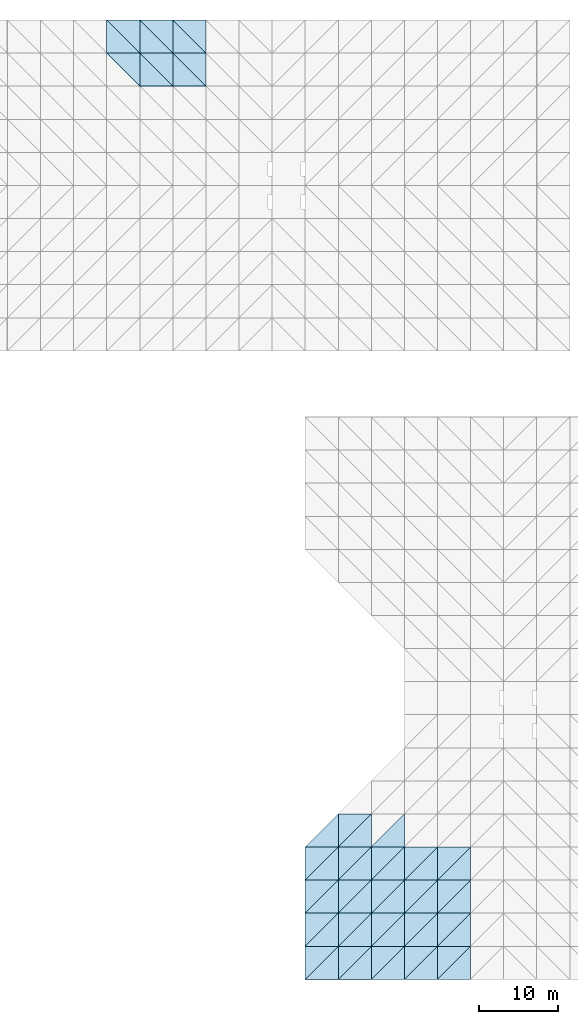
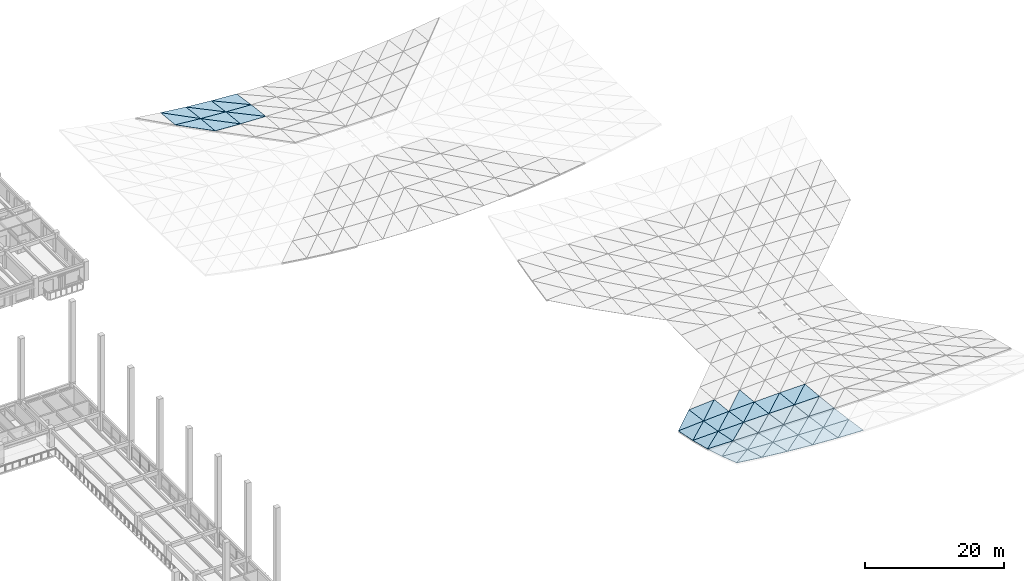
# One storey, part 44 of 64: 55 roofs.
"""IFC4 building model written with IfcOpenShell, lengths in metres."""

from ifc_helpers import new_model, si_unit, direction, frame, origin, place, context, subcontext, project, spatial, polyline, outline, extrude, material, layer, layer_set, type_object, element, save


model = new_model("IFC4")

# Units and contexts
model_context = context("Model", 3, precision=1e-05, world=origin(), true_north=direction((0.0, 1.0)))
body_context = subcontext(model_context, "Body", "Model", "MODEL_VIEW")
ifc_project = project(units=[si_unit("LENGTHUNIT", "METRE"), si_unit("AREAUNIT", "SQUARE_METRE"), si_unit("VOLUMEUNIT", "CUBIC_METRE"), si_unit("PLANEANGLEUNIT", "RADIAN"), si_unit("MASSUNIT", "GRAM", prefix="KILO")], contexts=[model_context])

# Site, building, storey
site_placement = place(None, origin())
site = spatial("IfcSite", under=ifc_project, at=site_placement, CompositionType="ELEMENT")
building_placement = place(site_placement, origin())
building = spatial("IfcBuilding", under=site, at=building_placement, Name="Cumbredor Promenade Congress Hotel", CompositionType="ELEMENT")
storey_placement = place(building_placement, frame((0.0, 0.0, 18.47998046875)))
storey = spatial("IfcBuildingStorey", under=building, at=storey_placement, Name="L05", CompositionType="ELEMENT", Elevation=18.47998046875)

# Roofs
ifc_material = material(Name="Standing-seam zinc-aluminium roofing", Category="aluminium")
ifc_layer = layer(ifc_material, 0.050048828125, Name="Standing-seam zinc-aluminium roofing", Category="aluminium")
ifc_layer_set = layer_set([ifc_layer], Name="Standing-seam zinc-aluminium roofing")
roof_type = type_object("IfcRoofType", Name="Sweeping Pavilion Standing-Seam Roof Skin 50mm", PredefinedType="FREEFORM", material=ifc_layer_set)
roof_1_placement = place(storey_placement, frame((138.60009765625, 0.0, 4.77001953125), z_axis=(0.118242562971, 0.267282671727, 0.956336065249), x_axis=(0.992442958388, 0.0, -0.122706863483)))
element("IfcRoof", 1, at=roof_1_placement, inside=storey, type_object=roof_type, Name="Grand Ballroom Pavilion Standing-Seam Roof Skin 1.1.1", PredefinedType="FREEFORM", context=body_context, shape_type="SweptSolid", body=[
    extrude(outline(polyline([(0.0, 0.0), (4.231932058539838, 0.0), (4.375968826026281, 4.3585221948255874), (0.0, 0.0)])), origin(), (0.0, 0.0, -1.0), 0.050048828125),
])
roof_2_placement = place(storey_placement, frame((138.60009765625, 0.0, 4.77001953125), z_axis=(0.06211809951, 0.31911112182, 0.945679350332), x_axis=(0.680018566113, 0.680018566113, -0.274134090333)))
element("IfcRoof", 2, at=roof_2_placement, inside=storey, type_object=roof_type, Name="Grand Ballroom Pavilion Standing-Seam Roof Skin 1.1.2", PredefinedType="FREEFORM", context=body_context, shape_type="SweptSolid", body=[
    extrude(outline(polyline([(0.0, 0.0), (6.176230151892098, 5.551115123125783e-17), (3.2445575652412004, 3.0200984854351223), (0.0, 0.0)])), origin(), (0.0, 0.0, -1.0), 0.050048828125),
])
roof_3_placement = place(storey_placement, frame((138.60009765625, 4.199951171875, 3.352783203125), z_axis=(0.063676478937, 0.237068094593, 0.969403953239), x_axis=(0.997849616578, 0.0, -0.065544966967)))
element("IfcRoof", 3, at=roof_3_placement, inside=storey, type_object=roof_type, Name="Grand Ballroom Pavilion Standing-Seam Roof Skin 1.2.1", PredefinedType="FREEFORM", context=body_context, shape_type="SweptSolid", body=[
    extrude(outline(polyline([(0.0, 0.0), (4.20900214029975, -1.3877787807814457e-17), (4.276323350268059, 4.323192259014265), (0.0, 0.0)])), origin(), (0.0, 0.0, -1.0), 0.050048828125),
])
roof_4_placement = place(storey_placement, frame((138.60009765625, 4.199951171875, 3.352783203125), z_axis=(0.014326151444, 0.283178402091, 0.958960246295), x_axis=(0.690683052822, 0.690683052822, -0.214275152759)))
element("IfcRoof", 4, at=roof_4_placement, inside=storey, type_object=roof_type, Name="Grand Ballroom Pavilion Standing-Seam Roof Skin 1.2.2", PredefinedType="FREEFORM", context=body_context, shape_type="SweptSolid", body=[
    extrude(outline(polyline([(0.0, 0.0), (6.080866114662344, 8.326672684688674e-17), (3.166586507252513, 3.0249795111954327), (0.0, 0.0)])), origin(), (0.0, 0.0, -1.0), 0.050048828125),
])
roof_5_placement = place(storey_placement, frame((138.60009765625, 8.39990234375, 2.112548828125), z_axis=(0.014620129947, 0.205068112422, 0.978638503774), x_axis=(0.999888428009, 0.0, -0.014937587979)))
element("IfcRoof", 5, at=roof_5_placement, inside=storey, type_object=roof_type, Name="Grand Ballroom Pavilion Standing-Seam Roof Skin 1.3.1", PredefinedType="FREEFORM", context=body_context, shape_type="SweptSolid", body=[
    extrude(outline(polyline([(0.0, 0.0), (4.20041982107943, 1.734723475976807e-18), (4.213566794874192, 4.291397356787661), (0.0, 0.0)])), origin(), (0.0, 0.0, -1.0), 0.050048828125),
])
roof_6_placement = place(storey_placement, frame((138.60009765625, 8.39990234375, 2.112548828125), z_axis=(-0.027714884433, 0.24525120471, 0.969063327017), x_axis=(0.698342651801, 0.698383246037, -0.156774941653)))
element("IfcRoof", 6, at=roof_6_placement, inside=storey, type_object=roof_type, Name="Grand Ballroom Pavilion Standing-Seam Roof Skin 1.3.2", PredefinedType="FREEFORM", context=body_context, shape_type="SweptSolid", body=[
    extrude(outline(polyline([(0.0, 0.0), (6.01416963584421, 1.3877787807814457e-16), (3.099995962105173, 3.0268151222288786), (0.0, 0.0)])), origin(), (0.0, 0.0, -1.0), 0.050048828125),
])
roof_7_placement = place(storey_placement, frame((138.60009765625, 12.60009765625, 1.049560546875), z_axis=(-0.028161900128, 0.172005101393, 0.984693430706), x_axis=(0.999591280357, 0.0, 0.028587973606)))
element("IfcRoof", 7, at=roof_7_placement, inside=storey, type_object=roof_type, Name="Grand Ballroom Pavilion Standing-Seam Roof Skin 1.4.1", PredefinedType="FREEFORM", context=body_context, shape_type="SweptSolid", body=[
    extrude(outline(polyline([(0.0, 0.0), (4.2016684763159375, 0.0), (4.180695121656626, 4.263494036229725), (0.0, 0.0)])), origin(), (0.0, 0.0, -1.0), 0.050048828125),
])
roof_8_placement = place(storey_placement, frame((138.60009765625, 12.60009765625, 1.049560546875), z_axis=(-0.063292145756, 0.205940721797, 0.976515500845), x_axis=(0.703364441624, 0.703364441624, -0.102746895414)))
element("IfcRoof", 8, at=roof_8_placement, inside=storey, type_object=roof_type, Name="Grand Ballroom Pavilion Standing-Seam Roof Skin 1.4.2", PredefinedType="FREEFORM", context=body_context, shape_type="SweptSolid", body=[
    extrude(outline(polyline([(0.0, 0.0), (5.971230450854324, 2.220446049250313e-16), (3.0451035707576253, 3.0251402136447556), (0.0, 0.0)])), origin(), (0.0, 0.0, -1.0), 0.050048828125),
])
roof_9_placement = place(storey_placement, frame((138.60009765625, 16.800048828125, 0.163818359375), z_axis=(-0.064058707496, 0.138114020467, 0.988342551621), x_axis=(0.997906149499, 0.0, 0.064678565174)))
element("IfcRoof", 9, at=roof_9_placement, inside=storey, type_object=roof_type, Name="Grand Ballroom Pavilion Standing-Seam Roof Skin 1.5.1", PredefinedType="FREEFORM", context=body_context, shape_type="SweptSolid", body=[
    extrude(outline(polyline([(0.0, 0.0), (4.208763693845863, 6.938893903907228e-18), (4.170802934402833, 4.240591579442301), (0.0, 0.0)])), origin(), (0.0, 0.0, -1.0), 0.050048828125),
])
roof_10_placement = place(storey_placement, frame((142.800048828125, 0.0, 4.250732421875), z_axis=(0.098109442037, 0.224902230425, 0.969429483837), x_axis=(0.994917953198, 0.0, -0.1006889587)))
element("IfcRoof", 10, at=roof_10_placement, inside=storey, type_object=roof_type, Name="Grand Ballroom Pavilion Standing-Seam Roof Skin 2.1.1", PredefinedType="FREEFORM", context=body_context, shape_type="SweptSolid", body=[
    extrude(outline(polyline([(0.0, 0.0), (4.2214045473544255, 0.0), (4.319512368197227, 4.310377281814471), (0.0, 0.0)])), origin(), (0.0, 0.0, -1.0), 0.050048828125),
])
roof_11_placement = place(storey_placement, frame((142.800048828125, 0.0, 4.250732421875), z_axis=(0.051660124766, 0.268811558307, 0.961806413801), x_axis=(0.688261938652, 0.688261938652, -0.229327293632)))
element("IfcRoof", 11, at=roof_11_placement, inside=storey, type_object=roof_type, Name="Grand Ballroom Pavilion Standing-Seam Roof Skin 2.1.2", PredefinedType="FREEFORM", context=body_context, shape_type="SweptSolid", body=[
    extrude(outline(polyline([(0.0, 0.0), (6.102256911224823, -2.7755575615628914e-17), (3.1598573628960707, 3.00545566583949), (0.0, 0.0)])), origin(), (0.0, 0.0, -1.0), 0.050048828125),
])
roof_12_placement = place(storey_placement, frame((142.800048828125, 4.199951171875, 3.076904296875), z_axis=(0.052564690677, 0.198710459454, 0.978647590605), x_axis=(0.998560647635, 0.0, -0.053634252073)))
element("IfcRoof", 12, at=roof_12_placement, inside=storey, type_object=roof_type, Name="Grand Ballroom Pavilion Standing-Seam Roof Skin 2.2.1", PredefinedType="FREEFORM", context=body_context, shape_type="SweptSolid", body=[
    extrude(outline(polyline([(0.0, 0.0), (4.206005095257487, 0.0), (4.251743484537643, 4.285409786404607), (0.0, 0.0)])), origin(), (0.0, 0.0, -1.0), 0.050048828125),
])
roof_13_placement = place(storey_placement, frame((142.800048828125, 4.199951171875, 3.076904296875), z_axis=(0.011856912562, 0.237533481662, 0.971306984796), x_axis=(0.695733289113, 0.695733289113, -0.178634769401)))
element("IfcRoof", 13, at=roof_13_placement, inside=storey, type_object=roof_type, Name="Grand Ballroom Pavilion Standing-Seam Roof Skin 2.2.2", PredefinedType="FREEFORM", context=body_context, shape_type="SweptSolid", body=[
    extrude(outline(polyline([(0.0, 0.0), (6.036725908613102, -5.551115123125783e-16), (3.1055215447969915, 3.0083649028191664), (0.0, 0.0)])), origin(), (0.0, 0.0, -1.0), 0.050048828125),
])
roof_14_placement = place(storey_placement, frame((142.800048828125, 8.39990234375, 2.0498046875), z_axis=(0.012025662824, 0.171384365299, 0.985130845505), x_axis=(0.999925500788, 0.0, -0.012206263743)))
element("IfcRoof", 14, at=roof_14_placement, inside=storey, type_object=roof_type, Name="Grand Ballroom Pavilion Standing-Seam Roof Skin 2.3.1", PredefinedType="FREEFORM", context=body_context, shape_type="SweptSolid", body=[
    extrude(outline(polyline([(0.0, 0.0), (4.200264088241212, 1.734723475976807e-18), (4.209183362504361, 4.263273676204607), (0.0, 0.0)])), origin(), (0.0, 0.0, -1.0), 0.050048828125),
])
roof_15_placement = place(storey_placement, frame((142.800048828125, 8.39990234375, 2.0498046875), z_axis=(-0.022865306284, 0.205036412582, 0.978487223874), x_axis=(0.701037118205, 0.70107786907, -0.130525018288)))
element("IfcRoof", 15, at=roof_15_placement, inside=storey, type_object=roof_type, Name="Grand Ballroom Pavilion Standing-Seam Roof Skin 2.3.2", PredefinedType="FREEFORM", context=body_context, shape_type="SweptSolid", body=[
    extrude(outline(polyline([(0.0, 0.0), (5.991053915414437, 6.938893903907228e-17), (3.0595425660163067, 3.0092297026811408), (0.0, 0.0)])), origin(), (0.0, 0.0, -1.0), 0.050048828125),
])
roof_16_placement = place(storey_placement, frame((142.800048828125, 12.60009765625, 1.169677734375), z_axis=(-0.023120069261, 0.143436449594, 0.989389431582), x_axis=(0.999727079655, 0.0, 0.023361639599)))
element("IfcRoof", 16, at=roof_16_placement, inside=storey, type_object=roof_type, Name="Grand Ballroom Pavilion Standing-Seam Roof Skin 2.4.1", PredefinedType="FREEFORM", context=body_context, shape_type="SweptSolid", body=[
    extrude(outline(polyline([(0.0, 0.0), (4.2010977369193006, -1.734723475976807e-18), (4.186873144839257, 4.243834415170376), (0.0, 0.0)])), origin(), (0.0, 0.0, -1.0), 0.050048828125),
])
roof_17_placement = place(storey_placement, frame((142.800048828125, 12.60009765625, 1.169677734375), z_axis=(-0.052209220159, 0.17183867095, 0.983740651034), x_axis=(0.704506982586, 0.704506982586, -0.085672766818)))
element("IfcRoof", 17, at=roof_17_placement, inside=storey, type_object=roof_type, Name="Grand Ballroom Pavilion Standing-Seam Roof Skin 2.4.2", PredefinedType="FREEFORM", context=body_context, shape_type="SweptSolid", body=[
    extrude(outline(polyline([(0.0, 0.0), (5.961546550548831, 1.3877787807814457e-17), (3.0217481166309876, 3.007799793571567), (0.0, 0.0)])), origin(), (0.0, 0.0, -1.0), 0.050048828125),
])
roof_18_placement = place(storey_placement, frame((142.800048828125, 16.800048828125, 0.43603515625), z_axis=(-0.052645368045, 0.115093269022, 0.991958670837), x_axis=(0.99859464216, 0.0, 0.052997553234)))
element("IfcRoof", 18, at=roof_18_placement, inside=storey, type_object=roof_type, Name="Grand Ballroom Pavilion Standing-Seam Roof Skin 2.5.1", PredefinedType="FREEFORM", context=body_context, shape_type="SweptSolid", body=[
    extrude(outline(polyline([(0.0, 0.0), (4.205861912887175, -3.469446951953614e-18), (4.180035956769995, 4.228047862144455), (0.0, 0.0)])), origin(), (0.0, 0.0, -1.0), 0.050048828125),
])
roof_19_placement = place(storey_placement, frame((142.800048828125, 16.800048828125, 0.43603515625), z_axis=(-0.075830993945, 0.137999780048, 0.987525048322), x_axis=(0.706407215211, 0.706407215211, -0.044471255832)))
element("IfcRoof", 19, at=roof_19_placement, inside=storey, type_object=roof_type, Name="Grand Ballroom Pavilion Standing-Seam Roof Skin 2.5.2", PredefinedType="FREEFORM", context=body_context, shape_type="SweptSolid", body=[
    extrude(outline(polyline([(0.0, 0.0), (5.945510013823402, 2.8449465006019636e-16), (2.992976616771721, 3.004354994728843), (0.0, 0.0)])), origin(), (0.0, 0.0, -1.0), 0.050048828125),
])
roof_20_placement = place(storey_placement, frame((147.0, 0.0, 3.82568359375), z_axis=(0.077020639314, 0.190958852419, 0.978571682506), x_axis=(0.996916905208, 0.0, -0.078464540467)))
element("IfcRoof", 20, at=roof_20_placement, inside=storey, type_object=roof_type, Name="Grand Ballroom Pavilion Standing-Seam Roof Skin 3.1.1", PredefinedType="FREEFORM", context=body_context, shape_type="SweptSolid", body=[
    extrude(outline(polyline([(0.0, 0.0), (4.212940065450163, 0.0), (4.27724803965604, 4.278687396275534), (0.0, 0.0)])), origin(), (0.0, 0.0, -1.0), 0.050048828125),
])
roof_21_placement = place(storey_placement, frame((147.0, 0.0, 3.82568359375), z_axis=(0.040736541067, 0.225804910278, 0.973320438867), x_axis=(0.694211389158, 0.694211389158, -0.190108112208)))
element("IfcRoof", 21, at=roof_21_placement, inside=storey, type_object=roof_type, Name="Grand Ballroom Pavilion Standing-Seam Roof Skin 3.1.2", PredefinedType="FREEFORM", context=body_context, shape_type="SweptSolid", body=[
    extrude(outline(polyline([(0.0, 0.0), (6.049960051751462, 1.942890293094024e-16), (3.100888672730447, 2.9955745518055203), (0.0, 0.0)])), origin(), (0.0, 0.0, -1.0), 0.050048828125),
])
roof_22_placement = place(storey_placement, frame((147.0, 4.199951171875, 2.851318359375), z_axis=(0.041221559117, 0.168092357731, 0.984909002059), x_axis=(0.99912530526, 0.0, -0.041816556402)))
element("IfcRoof", 22, at=roof_22_placement, inside=storey, type_object=roof_type, Name="Grand Ballroom Pavilion Standing-Seam Roof Skin 3.2.1", PredefinedType="FREEFORM", context=body_context, shape_type="SweptSolid", body=[
    extrude(outline(polyline([(0.0, 0.0), (4.203628063231301, -3.469446951953614e-18), (4.233602040183663, 4.260573807229446), (0.0, 0.0)])), origin(), (0.0, 0.0, -1.0), 0.050048828125),
])
roof_23_placement = place(storey_placement, frame((147.0, 4.199951171875, 2.851318359375), z_axis=(0.009285212395, 0.198976974826, 0.979960176905), x_axis=(0.699255357057, 0.699255357057, -0.148606498018)))
element("IfcRoof", 23, at=roof_23_placement, inside=storey, type_object=roof_type, Name="Grand Ballroom Pavilion Standing-Seam Roof Skin 3.2.2", PredefinedType="FREEFORM", context=body_context, shape_type="SweptSolid", body=[
    extrude(outline(polyline([(0.0, 0.0), (6.006319621989566, -2.636779683484747e-16), (3.0635674816978558, 2.996895614256489), (0.0, 0.0)])), origin(), (0.0, 0.0, -1.0), 0.050048828125),
])
roof_24_placement = place(storey_placement, frame((147.0, 8.39990234375, 1.99853515625), z_axis=(0.009374873583, 0.144755737641, 0.9894230077), x_axis=(0.999955114342, 0.0, -0.009474666258)))
element("IfcRoof", 24, at=roof_24_placement, inside=storey, type_object=roof_type, Name="Grand Ballroom Pavilion Standing-Seam Roof Skin 3.3.1", PredefinedType="FREEFORM", context=body_context, shape_type="SweptSolid", body=[
    extrude(outline(polyline([(0.0, 0.0), (4.200139697907823, 8.673617379884035e-19), (4.2059618988286225, 4.244905112663634), (0.0, 0.0)])), origin(), (0.0, 0.0, -1.0), 0.050048828125),
])
roof_25_placement = place(storey_placement, frame((147.0, 8.39990234375, 1.99853515625), z_axis=(-0.017922381172, 0.171369229615, 0.985043844402), x_axis=(0.702834967847, 0.702875823219, -0.109492397479)))
element("IfcRoof", 25, at=roof_25_placement, inside=storey, type_object=roof_type, Name="Grand Ballroom Pavilion Standing-Seam Roof Skin 3.3.2", PredefinedType="FREEFORM", context=body_context, shape_type="SweptSolid", body=[
    extrude(outline(polyline([(0.0, 0.0), (5.975728818304586, -5.551115123125783e-17), (3.0322232442177657, 2.9968657275390242), (0.0, 0.0)])), origin(), (0.0, 0.0, -1.0), 0.050048828125),
])
roof_26_placement = place(storey_placement, frame((147.0, 12.60009765625, 1.267822265625), z_axis=(-0.018057742267, 0.12103879641, 0.992483515081), x_axis=(0.999834521151, 0.0, 0.018191490154)))
element("IfcRoof", 26, at=roof_26_placement, inside=storey, type_object=roof_type, Name="Grand Ballroom Pavilion Standing-Seam Roof Skin 3.4.1", PredefinedType="FREEFORM", context=body_context, shape_type="SweptSolid", body=[
    extrude(outline(polyline([(0.0, 0.0), (4.2006462899866, 1.734723475976807e-18), (4.191328480820773, 4.231058858894363), (0.0, 0.0)])), origin(), (0.0, 0.0, -1.0), 0.050048828125),
])
roof_27_placement = place(storey_placement, frame((147.0, 12.60009765625, 1.267822265625), z_axis=(-0.040753458414, 0.143355606889, 0.988831798437), x_axis=(0.705211193086, 0.705211193086, -0.073173398806)))
element("IfcRoof", 27, at=roof_27_placement, inside=storey, type_object=roof_type, Name="Grand Ballroom Pavilion Standing-Seam Roof Skin 3.4.2", PredefinedType="FREEFORM", context=body_context, shape_type="SweptSolid", body=[
    extrude(outline(polyline([(0.0, 0.0), (5.955593463423091, 4.163336342344337e-17), (3.0064068875190855, 2.995304743942114), (0.0, 0.0)])), origin(), (0.0, 0.0, -1.0), 0.050048828125),
])
roof_28_placement = place(storey_placement, frame((147.0, 16.800048828125, 0.658935546875), z_axis=(-0.040984605326, 0.096998826145, 0.994440289737), x_axis=(0.999151794145, 0.0, 0.041178784052)))
element("IfcRoof", 28, at=roof_28_placement, inside=storey, type_object=roof_type, Name="Grand Ballroom Pavilion Standing-Seam Roof Skin 3.5.1", PredefinedType="FREEFORM", context=body_context, shape_type="SweptSolid", body=[
    extrude(outline(polyline([(0.0, 0.0), (4.203516619281352, 3.469446951953614e-18), (4.186646990463114, 4.219849891450817), (0.0, 0.0)])), origin(), (0.0, 0.0, -1.0), 0.050048828125),
])
roof_29_placement = place(storey_placement, frame((151.199951171875, 0.0, 3.4951171875), z_axis=(0.055342530466, 0.166142053717, 0.984547623179), x_axis=(0.998423888695, 0.0, -0.056122530975)))
element("IfcRoof", 29, at=roof_29_placement, inside=storey, type_object=roof_type, Name="Grand Ballroom Pavilion Standing-Seam Roof Skin 4.1.1", PredefinedType="FREEFORM", context=body_context, shape_type="SweptSolid", body=[
    extrude(outline(polyline([(0.0, 0.0), (4.206581212078588, 6.938893903907228e-18), (4.246357507835741, 4.259145502592269), (0.0, 0.0)])), origin(), (0.0, 0.0, -1.0), 0.050048828125),
])
roof_30_placement = place(storey_placement, frame((151.199951171875, 0.0, 3.4951171875), z_axis=(0.0292557931, 0.191445803973, 0.981067073503), x_axis=(0.698326858274, 0.698326858274, -0.157096142622)))
element("IfcRoof", 30, at=roof_30_placement, inside=storey, type_object=roof_type, Name="Grand Ballroom Pavilion Standing-Seam Roof Skin 4.1.2", PredefinedType="FREEFORM", context=body_context, shape_type="SweptSolid", body=[
    extrude(outline(polyline([(0.0, 0.0), (6.014305653739666, -4.163336342344337e-17), (3.061691575602247, 2.989539437184229), (0.0, 0.0)])), origin(), (0.0, 0.0, -1.0), 0.050048828125),
])
roof_31_placement = place(storey_placement, frame((151.199951171875, 4.199951171875, 2.675537109375), z_axis=(0.029487727326, 0.146001612881, 0.988844782043), x_axis=(0.999555668784, 0.0, -0.02980713004)))
element("IfcRoof", 31, at=roof_31_placement, inside=storey, type_object=roof_type, Name="Grand Ballroom Pavilion Standing-Seam Roof Skin 4.2.1", PredefinedType="FREEFORM", context=body_context, shape_type="SweptSolid", body=[
    extrude(outline(polyline([(0.0, 0.0), (4.201818170851172, 0.0), (4.220302084499319, 4.2454438539808), (0.0, 0.0)])), origin(), (0.0, 0.0, -1.0), 0.050048828125),
])
roof_32_placement = place(storey_placement, frame((151.199951171875, 4.199951171875, 2.675537109375), z_axis=(0.006704051065, 0.168231572029, 0.985724704911), x_axis=(0.701604059299, 0.701604059299, -0.124513003141)))
element("IfcRoof", 32, at=roof_32_placement, inside=storey, type_object=roof_type, Name="Grand Ballroom Pavilion Standing-Seam Roof Skin 4.2.2", PredefinedType="FREEFORM", context=body_context, shape_type="SweptSolid", body=[
    extrude(outline(polyline([(0.0, 0.0), (5.986212759477618, 3.7470027081099033e-16), (3.0359533225922233, 2.9893770302832654), (0.0, 0.0)])), origin(), (0.0, 0.0, -1.0), 0.050048828125),
])
roof_33_placement = place(storey_placement, frame((151.199951171875, 8.39990234375, 1.958740234375), z_axis=(0.006747179594, 0.125536377656, 0.992066073128), x_axis=(0.999976873054, 0.0, -0.006800982047)))
element("IfcRoof", 33, at=roof_33_placement, inside=storey, type_object=roof_type, Name="Grand Ballroom Pavilion Standing-Seam Roof Skin 4.3.1", PredefinedType="FREEFORM", context=body_context, shape_type="SweptSolid", body=[
    extrude(outline(polyline([(0.0, 0.0), (4.200048306164646, 0.0), (4.2036629882729, 4.233687945366184), (0.0, 0.0)])), origin(), (0.0, 0.0, -1.0), 0.050048828125),
])
roof_34_placement = place(storey_placement, frame((151.199951171875, 8.39990234375, 1.958740234375), z_axis=(-0.012825256023, 0.14475019298, 0.989385109267), x_axis=(0.703963880074, 0.704004801069, -0.093872762942)))
element("IfcRoof", 34, at=roof_34_placement, inside=storey, type_object=roof_type, Name="Grand Ballroom Pavilion Standing-Seam Roof Skin 4.3.2", PredefinedType="FREEFORM", context=body_context, shape_type="SweptSolid", body=[
    extrude(outline(polyline([(0.0, 0.0), (5.966145836108467, -3.469446951953614e-17), (3.014642661601845, 2.9885084802274804), (0.0, 0.0)])), origin(), (0.0, 0.0, -1.0), 0.050048828125),
])
roof_35_placement = place(storey_placement, frame((151.199951171875, 12.60009765625, 1.34423828125), z_axis=(-0.012890312655, 0.104856624021, 0.994403805422), x_axis=(0.999915992778, 0.0, 0.012961766342)))
element("IfcRoof", 35, at=roof_35_placement, inside=storey, type_object=roof_type, Name="Grand Ballroom Pavilion Standing-Seam Roof Skin 4.4.1", PredefinedType="FREEFORM", context=body_context, shape_type="SweptSolid", body=[
    extrude(outline(polyline([(0.0, 0.0), (4.20030402774778, 0.0), (4.194563636110758, 4.2232323757659085), (0.0, 0.0)])), origin(), (0.0, 0.0, -1.0), 0.050048828125),
])
roof_36_placement = place(storey_placement, frame((151.199951171875, 12.60009765625, 1.34423828125), z_axis=(-0.029242340256, 0.121006765005, 0.992220866722), x_axis=(0.705599595622, 0.705599595622, -0.065256580633)))
element("IfcRoof", 36, at=roof_36_placement, inside=storey, type_object=roof_type, Name="Grand Ballroom Pavilion Standing-Seam Roof Skin 4.4.2", PredefinedType="FREEFORM", context=body_context, shape_type="SweptSolid", body=[
    extrude(outline(polyline([(0.0, 0.0), (5.952315162783306, -5.412337245047638e-16), (2.996908727943137, 2.9867179253110545), (0.0, 0.0)])), origin(), (0.0, 0.0, -1.0), 0.050048828125),
])
roof_37_placement = place(storey_placement, frame((155.39990234375, 0.0, 3.259033203125), z_axis=(0.033364758538, 0.151040302528, 0.987964381898), x_axis=(0.999430239795, 0.0, -0.033751974501)))
element("IfcRoof", 37, at=roof_37_placement, inside=storey, type_object=roof_type, Name="Grand Ballroom Pavilion Standing-Seam Roof Skin 5.1.1", PredefinedType="FREEFORM", context=body_context, shape_type="SweptSolid", body=[
    extrude(outline(polyline([(0.0, 0.0), (4.202589780913907, 3.469446951953614e-18), (4.224261580947727, 4.248693863608484), (0.0, 0.0)])), origin(), (0.0, 0.0, -1.0), 0.050048828125),
])
roof_38_placement = place(storey_placement, frame((155.39990234375, 0.0, 3.259033203125), z_axis=(0.017650477076, 0.166371147608, 0.985905219533), x_axis=(0.701048001416, 0.701007252288, -0.130845450625)))
element("IfcRoof", 38, at=roof_38_placement, inside=storey, type_object=roof_type, Name="Grand Ballroom Pavilion Standing-Seam Roof Skin 5.1.2", PredefinedType="FREEFORM", context=body_context, shape_type="SweptSolid", body=[
    extrude(outline(polyline([(0.0, 0.0), (5.991309160019649, -6.938893903907228e-17), (3.036931666083743, 2.986460885646075), (0.0, 0.0)])), origin(), (0.0, 0.0, -1.0), 0.050048828125),
])
roof_39_placement = place(storey_placement, frame((155.39990234375, 4.199951171875, 2.55029296875), z_axis=(0.017741856006, 0.132610800752, 0.99100938546), x_axis=(0.99983978315, 0.0, -0.017899944967)))
element("IfcRoof", 39, at=roof_39_placement, inside=storey, type_object=roof_type, Name="Grand Ballroom Pavilion Standing-Seam Roof Skin 5.2.1", PredefinedType="FREEFORM", context=body_context, shape_type="SweptSolid", body=[
    extrude(outline(polyline([(0.0, 0.0), (4.200868362394726, 1.734723475976807e-18), (4.210928341231096, 4.237374873075586), (0.0, 0.0)])), origin(), (0.0, 0.0, -1.0), 0.050048828125),
])
roof_40_placement = place(storey_placement, frame((155.39990234375, 4.199951171875, 2.55029296875), z_axis=(0.004025150391, 0.146063947144, 0.989266961699), x_axis=(0.703093144395, 0.703052276391, -0.106665490983)))
element("IfcRoof", 40, at=roof_40_placement, inside=storey, type_object=roof_type, Name="Grand Ballroom Pavilion Standing-Seam Roof Skin 5.2.2", PredefinedType="FREEFORM", context=body_context, shape_type="SweptSolid", body=[
    extrude(outline(polyline([(0.0, 0.0), (5.973881762301259, -1.249000902703301e-16), (3.018930336388315, 2.9849949407664718), (0.0, 0.0)])), origin(), (0.0, 0.0, -1.0), 0.050048828125),
])
roof_41_placement = place(storey_placement, frame((155.39990234375, 8.39990234375, 1.93017578125), z_axis=(0.004042292465, 0.113934900489, 0.993479993921), x_axis=(0.99999172245, 0.0, -0.004068787524)))
element("IfcRoof", 41, at=roof_41_placement, inside=storey, type_object=roof_type, Name="Grand Ballroom Pavilion Standing-Seam Roof Skin 5.3.1", PredefinedType="FREEFORM", context=body_context, shape_type="SweptSolid", body=[
    extrude(outline(polyline([(0.0, 0.0), (4.200230080115418, 0.0), (4.202189972152976, 4.227725340087981), (0.0, 0.0)])), origin(), (0.0, 0.0, -1.0), 0.050048828125),
])
roof_42_placement = place(storey_placement, frame((155.39990234375, 8.39990234375, 1.93017578125), z_axis=(-0.007727035053, 0.125535487394, 0.992059037726), x_axis=(0.704626998506, 0.704626998506, -0.083675480002)))
element("IfcRoof", 42, at=roof_42_placement, inside=storey, type_object=roof_type, Name="Grand Ballroom Pavilion Standing-Seam Roof Skin 5.3.2", PredefinedType="FREEFORM", context=body_context, shape_type="SweptSolid", body=[
    extrude(outline(polyline([(0.0, 0.0), (5.960877629450639, -2.0122792321330962e-16), (3.004044043519712, 2.9832609790729707), (0.0, 0.0)])), origin(), (0.0, 0.0, -1.0), 0.050048828125),
])
roof_43_placement = place(storey_placement, frame((155.39990234375, 12.60009765625, 1.398681640625), z_axis=(-0.007753328567, 0.095128456032, 0.995434810899), x_axis=(0.999969668005, 0.0, 0.007788650053)))
element("IfcRoof", 43, at=roof_43_placement, inside=storey, type_object=roof_type, Name="Grand Ballroom Pavilion Standing-Seam Roof Skin 5.4.1", PredefinedType="FREEFORM", context=body_context, shape_type="SweptSolid", body=[
    extrude(outline(polyline([(0.0, 0.0), (4.200322716666966, 0.0), (4.197196608100751, 4.219084698460209), (0.0, 0.0)])), origin(), (0.0, 0.0, -1.0), 0.050048828125),
])
roof_44_placement = place(storey_placement, frame((155.39990234375, 12.60009765625, 1.398681640625), z_axis=(-0.017570170079, 0.104849148819, 0.994332914629), x_axis=(0.705769314453, 0.705728290894, -0.061945574565)))
element("IfcRoof", 44, at=roof_44_placement, inside=storey, type_object=roof_type, Name="Grand Ballroom Pavilion Standing-Seam Roof Skin 5.4.2", PredefinedType="FREEFORM", context=body_context, shape_type="SweptSolid", body=[
    extrude(outline(polyline([(0.0, 0.0), (5.951229709886314, -5.898059818321144e-16), (2.9914582667259104, 2.9810907551181196), (0.0, 0.0)])), origin(), (0.0, 0.0, -1.0), 0.050048828125),
])
roof_45_placement = place(storey_placement, frame((117.60009765625, 113.39990234375, 1.527587890625), z_axis=(0.089619431398, 0.094114811237, 0.991519419791), x_axis=(0.0, 0.995525331291, -0.0944950515)))
element("IfcRoof", 45, at=roof_45_placement, inside=storey, type_object=roof_type, Name="Pre-Function and Breakout Meeting Forum Standing-Seam Roof Skin 7.9.2", PredefinedType="FREEFORM", context=body_context, shape_type="SweptSolid", body=[
    extrude(outline(polyline([(0.0, 0.0), (4.219074272126341, 6.938893903907228e-18), (4.183200296276293, 4.217164834599983), (0.0, 0.0)])), origin(), (0.0, 0.0, -1.0), 0.050048828125),
])
roof_46_placement = place(storey_placement, frame((113.39990234375, 117.60009765625, 1.508544921875), z_axis=(0.089583631267, 0.098230848875, 0.991123339115), x_axis=(0.995940048742, 0.0, -0.090018994175)))
element("IfcRoof", 46, at=roof_46_placement, inside=storey, type_object=roof_type, Name="Pre-Function and Breakout Meeting Forum Standing-Seam Roof Skin 7.10.1", PredefinedType="FREEFORM", context=body_context, shape_type="SweptSolid", body=[
    extrude(outline(polyline([(0.0, 0.0), (4.217317415648244, 0.0), (0.03747128541724508, 4.2203622997773005), (0.0, 0.0)])), origin(), (0.0, 0.0, -1.0), 0.050048828125),
])
roof_47_placement = place(storey_placement, frame((117.60009765625, 117.60009765625, 1.12890625), z_axis=(0.111805121041, 0.120412514067, 0.986407847376), x_axis=(0.0, 0.992631496019, -0.121172245634)))
element("IfcRoof", 47, at=roof_47_placement, inside=storey, type_object=roof_type, Name="Pre-Function and Breakout Meeting Forum Standing-Seam Roof Skin 7.10.2", PredefinedType="FREEFORM", context=body_context, shape_type="SweptSolid", body=[
    extrude(outline(polyline([(0.0, 0.0), (4.23112825728477, 0.0), (4.173441275110456, 4.226696054484284), (0.0, 0.0)])), origin(), (0.0, 0.0, -1.0), 0.050048828125),
])
roof_48_placement = place(storey_placement, frame((117.60009765625, 113.39990234375, 1.527587890625), z_axis=(0.056044980003, 0.094346528421, 0.993960609276), x_axis=(0.998414117425, 0.0, -0.05629609335)))
element("IfcRoof", 48, at=roof_48_placement, inside=storey, type_object=roof_type, Name="Pre-Function and Breakout Meeting Forum Standing-Seam Roof Skin 8.9.1", PredefinedType="FREEFORM", context=body_context, shape_type="SweptSolid", body=[
    extrude(outline(polyline([(0.0, 0.0), (4.206622381008706, 0.0), (0.02244421885760682, 4.219014573423311), (0.0, 0.0)])), origin(), (0.0, 0.0, -1.0), 0.050048828125),
])
roof_49_placement = place(storey_placement, frame((121.800048828125, 113.39990234375, 1.290771484375), z_axis=(0.069696153206, 0.107910351556, 0.991714577011), x_axis=(0.0, 0.994132041248, -0.108173400443)))
element("IfcRoof", 49, at=roof_49_placement, inside=storey, type_object=roof_type, Name="Pre-Function and Breakout Meeting Forum Standing-Seam Roof Skin 8.9.2", PredefinedType="FREEFORM", context=body_context, shape_type="SweptSolid", body=[
    extrude(outline(polyline([(0.0, 0.0), (4.224987364078564, -6.938893903907228e-18), (4.193058252473272, 4.210189230277686), (0.0, 0.0)])), origin(), (0.0, 0.0, -1.0), 0.050048828125),
])
roof_50_placement = place(storey_placement, frame((117.60009765625, 117.60009765625, 1.12890625), z_axis=(0.069591463531, 0.120878472635, 0.990224935586), x_axis=(0.997539580824, 0.0, -0.070105525386)))
element("IfcRoof", 50, at=roof_50_placement, inside=storey, type_object=roof_type, Name="Pre-Function and Breakout Meeting Forum Standing-Seam Roof Skin 8.10.1", PredefinedType="FREEFORM", context=body_context, shape_type="SweptSolid", body=[
    extrude(outline(polyline([(0.0, 0.0), (4.210310300074583, 0.0), (0.03594277424577436, 4.230975590401481), (0.0, 0.0)])), origin(), (0.0, 0.0, -1.0), 0.050048828125),
])
roof_51_placement = place(storey_placement, frame((121.800048828125, 117.60009765625, 0.833740234375), z_axis=(0.086943542006, 0.138042945653, 0.986602739535), x_axis=(0.0, 0.990352968068, -0.138567668089)))
element("IfcRoof", 51, at=roof_51_placement, inside=storey, type_object=roof_type, Name="Pre-Function and Breakout Meeting Forum Standing-Seam Roof Skin 8.10.2", PredefinedType="FREEFORM", context=body_context, shape_type="SweptSolid", body=[
    extrude(outline(polyline([(0.0, 0.0), (4.240862911806096, -6.938893903907228e-18), (4.1895766362144835, 4.215915831293723), (0.0, 0.0)])), origin(), (0.0, 0.0, -1.0), 0.050048828125),
])
roof_52_placement = place(storey_placement, frame((121.800048828125, 113.39990234375, 1.290771484375), z_axis=(0.040072862833, 0.108086511266, 0.993333514861), x_axis=(0.999187261443, 0.0, -0.040309013512)))
element("IfcRoof", 52, at=roof_52_placement, inside=storey, type_object=roof_type, Name="Pre-Function and Breakout Meeting Forum Standing-Seam Roof Skin 9.9.1", PredefinedType="FREEFORM", context=body_context, shape_type="SweptSolid", body=[
    extrude(outline(polyline([(0.0, 0.0), (4.203367410639382, -3.469446951953614e-18), (0.018422478831508018, 4.224947199539567), (0.0, 0.0)])), origin(), (0.0, 0.0, -1.0), 0.050048828125),
])
roof_53_placement = place(storey_placement, frame((126.0, 113.39990234375, 1.121337890625), z_axis=(0.049811801642, 0.117719660445, 0.991796786626), x_axis=(0.0, 0.993029511915, -0.117865976711)))
element("IfcRoof", 53, at=roof_53_placement, inside=storey, type_object=roof_type, Name="Pre-Function and Breakout Meeting Forum Standing-Seam Roof Skin 9.9.2", PredefinedType="FREEFORM", context=body_context, shape_type="SweptSolid", body=[
    extrude(outline(polyline([(0.0, 0.0), (4.22967823423534, -3.469446951953614e-18), (4.204815879772934, 4.205171380380474), (0.0, 0.0)])), origin(), (0.0, 0.0, -1.0), 0.050048828125),
])
roof_54_placement = place(storey_placement, frame((121.800048828125, 117.60009765625, 0.833740234375), z_axis=(0.049677874102, 0.138396577503, 0.989130171494), x_axis=(0.998741166039, 0.0, -0.050160574752)))
element("IfcRoof", 54, at=roof_54_placement, inside=storey, type_object=roof_type, Name="Pre-Function and Breakout Meeting Forum Standing-Seam Roof Skin 9.10.1", PredefinedType="FREEFORM", context=body_context, shape_type="SweptSolid", body=[
    extrude(outline(polyline([(0.0, 0.0), (4.205244876941228, 0.0), (0.029476685407203697, 4.240760469744771), (0.0, 0.0)])), origin(), (0.0, 0.0, -1.0), 0.050048828125),
])
roof_55_placement = place(storey_placement, frame((126.0, 117.60009765625, 0.622802734375), z_axis=(0.062113086697, 0.15060846322, 0.986640286663), x_axis=(0.0, 0.988549058169, -0.15089983298)))
element("IfcRoof", 55, at=roof_55_placement, inside=storey, type_object=roof_type, Name="Pre-Function and Breakout Meeting Forum Standing-Seam Roof Skin 9.10.2", PredefinedType="FREEFORM", context=body_context, shape_type="SweptSolid", body=[
    extrude(outline(polyline([(0.0, 0.0), (4.24860166237426, 0.0), (4.20870309813668, 4.2080764706587654), (0.0, 0.0)])), origin(), (0.0, 0.0, -1.0), 0.050048828125),
])

save(model, "model.ifc")
